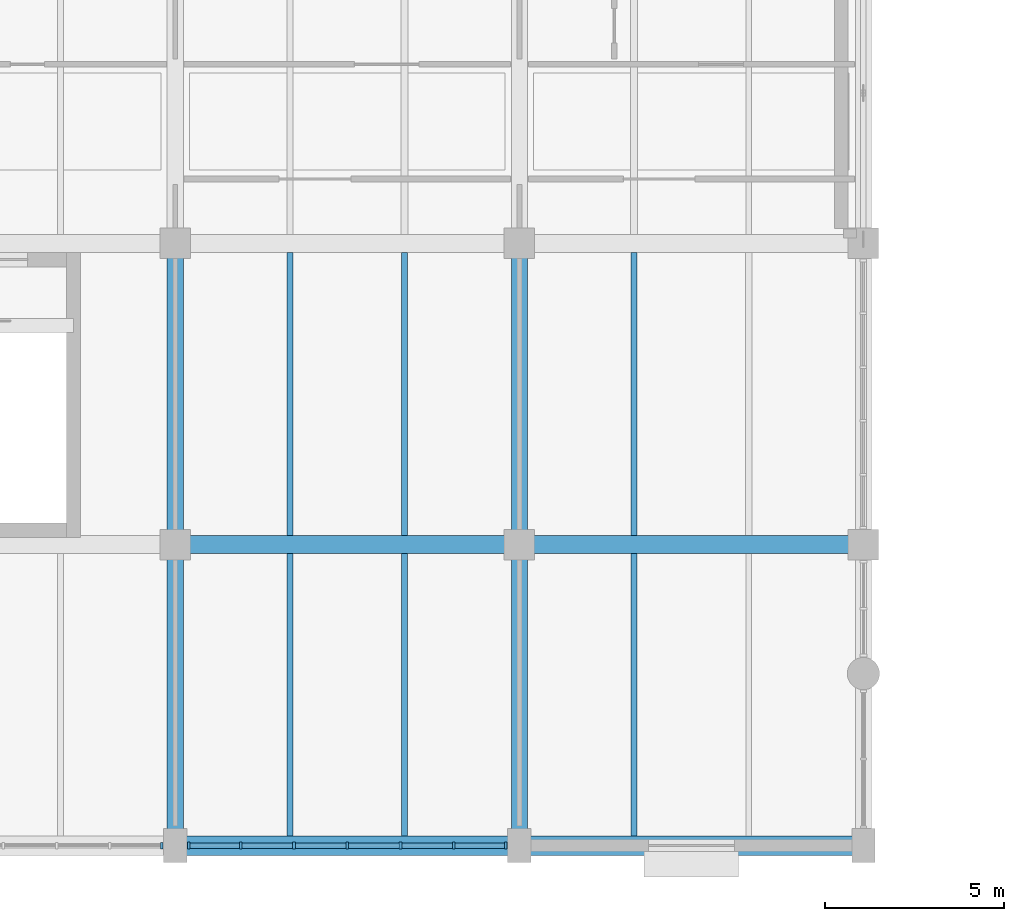
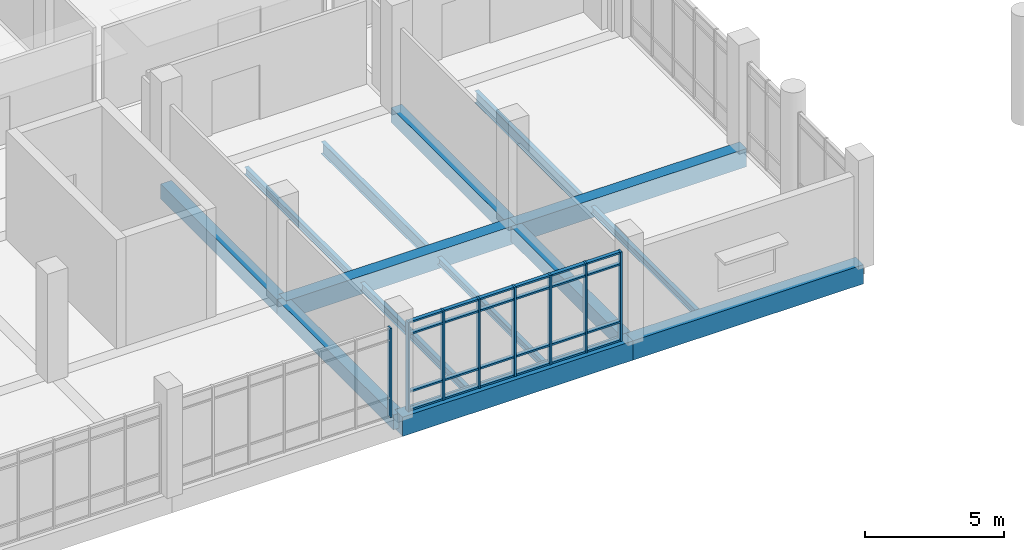
# One storey, part 12 of 152: 32 members, 14 beams, 2 elements without a shape of their own.
"""IFC4 building model written with IfcOpenShell, lengths in metres."""

from ifc_helpers import new_model, si_unit, direction, frame, origin, origin_2d, place, context, subcontext, project, spatial, rectangle, i_section, extrude, material, material_profile, profile_set, type_object, element, aggregate, save


model = new_model("IFC4")

# Units and contexts
model_context = context("Model", 3, precision=1e-05, world=origin(), true_north=direction((0.0, 1.0)))
body_context = subcontext(model_context, "Body", "Model", "MODEL_VIEW")
ifc_project = project(units=[si_unit("LENGTHUNIT", "METRE"), si_unit("AREAUNIT", "SQUARE_METRE"), si_unit("VOLUMEUNIT", "CUBIC_METRE"), si_unit("PLANEANGLEUNIT", "RADIAN"), si_unit("MASSUNIT", "GRAM", prefix="KILO")], contexts=[model_context])

# Site, building, storey
site_placement = place(None, origin())
site = spatial("IfcSite", under=ifc_project, at=site_placement, CompositionType="ELEMENT")
building_placement = place(site_placement, origin())
building = spatial("IfcBuilding", under=site, at=building_placement, Name="Oolite Switchyard Hospital", CompositionType="ELEMENT")
storey_placement = place(building_placement, frame((0.0, 0.0, 5.10009765625)))
storey = spatial("IfcBuildingStorey", under=building, at=storey_placement, Name="L01", CompositionType="ELEMENT", Elevation=5.10009765625)

# Beams
ifc_material_1 = material(Name="Concrete C40/50", Category="concrete")
ifc_material_profile_1 = material_profile(ifc_material_1, rectangle(XDim=0.449951171875, YDim=0.64990234375, at=origin_2d()), Name="RCB450X650")
ifc_profile_set_1 = profile_set([ifc_material_profile_1], Name="Concrete C40/50")
beam_type_1 = type_object("IfcBeamType", Name="BM-RC450X650", PredefinedType="BEAM", material=ifc_profile_set_1)
beam_1_placement = place(storey_placement, frame((48.0, 0.0, -0.3251953125), z_axis=(0.0, 1.0, 0.0), x_axis=(-1.0, 0.0, 0.0)))
element("IfcBeam", 1, at=beam_1_placement, inside=storey, type_object=beam_type_1, Name="L01 Y-Girder 366", PredefinedType="BEAM", context=body_context, shape_type="SweptSolid", body=[
    extrude(rectangle(XDim=0.449951171875, YDim=0.64990234375, at=origin_2d()), origin(), (0.0, 0.0, 1.0), 8.39990234375),
])
beam_2_placement = place(storey_placement, frame((48.0, 8.39990234375, -0.3251953125), z_axis=(0.0, 1.0, 0.0), x_axis=(-1.0, 0.0, 0.0)))
element("IfcBeam", 2, at=beam_2_placement, inside=storey, type_object=beam_type_1, Name="L01 Y-Girder 367", PredefinedType="BEAM", context=body_context, shape_type="SweptSolid", body=[
    extrude(rectangle(XDim=0.449951171875, YDim=0.64990234375, at=origin_2d()), origin(), (0.0, 0.0, 1.0), 8.400146484375),
])
beam_3_placement = place(storey_placement, frame((57.60009765625, 0.0, -0.3251953125), z_axis=(0.0, 1.0, 0.0), x_axis=(-1.0, 0.0, 0.0)))
element("IfcBeam", 3, at=beam_3_placement, inside=storey, type_object=beam_type_1, Name="L01 Y-Girder 382", PredefinedType="BEAM", context=body_context, shape_type="SweptSolid", body=[
    extrude(rectangle(XDim=0.449951171875, YDim=0.64990234375, at=origin_2d()), origin(), (0.0, 0.0, 1.0), 8.39990234375),
])
beam_4_placement = place(storey_placement, frame((57.60009765625, 8.39990234375, -0.3251953125), z_axis=(0.0, 1.0, 0.0), x_axis=(-1.0, 0.0, 0.0)))
element("IfcBeam", 4, at=beam_4_placement, inside=storey, type_object=beam_type_1, Name="L01 Y-Girder 383", PredefinedType="BEAM", context=body_context, shape_type="SweptSolid", body=[
    extrude(rectangle(XDim=0.449951171875, YDim=0.64990234375, at=origin_2d()), origin(), (0.0, 0.0, 1.0), 8.400146484375),
])
ifc_material_profile_2 = material_profile(ifc_material_1, rectangle(XDim=0.5, YDim=0.800048828125, at=origin_2d()), Name="RCB500X800")
ifc_profile_set_2 = profile_set([ifc_material_profile_2], Name="Concrete C40/50")
beam_type_2 = type_object("IfcBeamType", Name="BM-RC500X800", PredefinedType="BEAM", material=ifc_profile_set_2)
beam_5_placement = place(storey_placement, frame((48.0, 8.39990234375, -0.400146484375), z_axis=(1.0, 0.0, 0.0), x_axis=(0.0, 1.0, 0.0)))
element("IfcBeam", 5, at=beam_5_placement, inside=storey, type_object=beam_type_2, Name="L01 X-Girder 13", PredefinedType="BEAM", context=body_context, shape_type="SweptSolid", body=[
    extrude(rectangle(XDim=0.5, YDim=0.800048828125, at=origin_2d()), origin(), (0.0, 0.0, 1.0), 9.60009765625),
])
beam_6_placement = place(storey_placement, frame((57.60009765625, 8.39990234375, -0.400146484375), z_axis=(1.0, 0.0, 0.0), x_axis=(0.0, 1.0, 0.0)))
element("IfcBeam", 6, at=beam_6_placement, inside=storey, type_object=beam_type_2, Name="L01 X-Girder 14", PredefinedType="BEAM", context=body_context, shape_type="SweptSolid", body=[
    extrude(rectangle(XDim=0.5, YDim=0.800048828125, at=origin_2d()), origin(), (0.0, 0.0, 1.0), 9.599853515625),
])
ifc_material_profile_3 = material_profile(ifc_material_1, rectangle(XDim=0.550048828125, YDim=0.85009765625, at=origin_2d()), Name="RCB550X850")
ifc_profile_set_3 = profile_set([ifc_material_profile_3], Name="Concrete C40/50")
beam_type_3 = type_object("IfcBeamType", Name="BM-RC550X850", PredefinedType="BEAM", material=ifc_profile_set_3)
beam_7_placement = place(storey_placement, frame((48.0, 0.0, -0.425048828125), z_axis=(1.0, 0.0, 0.0), x_axis=(0.0, 1.0, 0.0)))
element("IfcBeam", 7, at=beam_7_placement, inside=storey, type_object=beam_type_3, Name="L01 X-Girder 6", PredefinedType="BEAM", context=body_context, shape_type="SweptSolid", body=[
    extrude(rectangle(XDim=0.550048828125, YDim=0.85009765625, at=origin_2d()), origin(), (0.0, 0.0, 1.0), 9.60009765625),
])
beam_8_placement = place(storey_placement, frame((57.60009765625, 0.0, -0.425048828125), z_axis=(1.0, 0.0, 0.0), x_axis=(0.0, 1.0, 0.0)))
element("IfcBeam", 8, at=beam_8_placement, inside=storey, type_object=beam_type_3, Name="L01 X-Girder 7", PredefinedType="BEAM", context=body_context, shape_type="SweptSolid", body=[
    extrude(rectangle(XDim=0.550048828125, YDim=0.85009765625, at=origin_2d()), origin(), (0.0, 0.0, 1.0), 9.599853515625),
])
ifc_material_2 = material(Name="Steel ASTM A992 Grade 50", Category="steel")
ifc_material_profile_4 = material_profile(ifc_material_2, i_section(OverallWidth=0.1650390625, OverallDepth=0.31005859375, WebThickness=0.006103515625, FlangeThickness=0.010009765625, at=origin_2d()), Name="W12X26")
ifc_profile_set_4 = profile_set([ifc_material_profile_4], Name="Steel ASTM A992 Grade 50")
beam_type_4 = type_object("IfcBeamType", Name="BM-W12X26", PredefinedType="JOIST", material=ifc_profile_set_4)
beam_9_placement = place(storey_placement, frame((54.39990234375, 0.27490234375, -0.43017578125), z_axis=(0.0, 1.0, 0.0), x_axis=(-1.0, 0.0, 0.0)))
element("IfcBeam", 9, at=beam_9_placement, inside=storey, type_object=beam_type_4, Name="L01 Secondary Steel Joist 711", PredefinedType="JOIST", context=body_context, shape_type="SweptSolid", body=[
    extrude(i_section(OverallWidth=0.1650390625, OverallDepth=0.31005859375, WebThickness=0.006103515625, FlangeThickness=0.010009765625, at=origin_2d()), origin(), (0.0, 0.0, 1.0), 7.875),
])
beam_10_placement = place(storey_placement, frame((51.199951171875, 8.64990234375, -0.43017578125), z_axis=(0.0, 1.0, 0.0), x_axis=(-1.0, 0.0, 0.0)))
element("IfcBeam", 10, at=beam_10_placement, inside=storey, type_object=beam_type_4, Name="L01 Secondary Steel Joist 712", PredefinedType="JOIST", context=body_context, shape_type="SweptSolid", body=[
    extrude(i_section(OverallWidth=0.1650390625, OverallDepth=0.31005859375, WebThickness=0.006103515625, FlangeThickness=0.010009765625, at=origin_2d()), origin(), (0.0, 0.0, 1.0), 7.900146484375),
])
beam_11_placement = place(storey_placement, frame((60.800048828125, 0.27490234375, -0.43017578125), z_axis=(0.0, 1.0, 0.0), x_axis=(-1.0, 0.0, 0.0)))
element("IfcBeam", 11, at=beam_11_placement, inside=storey, type_object=beam_type_4, Name="L01 Secondary Steel Joist 738", PredefinedType="JOIST", context=body_context, shape_type="SweptSolid", body=[
    extrude(i_section(OverallWidth=0.1650390625, OverallDepth=0.31005859375, WebThickness=0.006103515625, FlangeThickness=0.010009765625, at=origin_2d()), origin(), (0.0, 0.0, 1.0), 7.875),
])
ifc_material_profile_5 = material_profile(ifc_material_2, i_section(OverallWidth=0.1708984375, OverallDepth=0.35107421875, WebThickness=0.007080078125, FlangeThickness=0.010009765625, at=origin_2d()), Name="W14X30")
ifc_profile_set_5 = profile_set([ifc_material_profile_5], Name="Steel ASTM A992 Grade 50")
beam_type_5 = type_object("IfcBeamType", Name="BM-W14X30", PredefinedType="JOIST", material=ifc_profile_set_5)
beam_12_placement = place(storey_placement, frame((51.199951171875, 0.27490234375, -0.4501953125), z_axis=(0.0, 1.0, 0.0), x_axis=(-1.0, 0.0, 0.0)))
element("IfcBeam", 12, at=beam_12_placement, inside=storey, type_object=beam_type_5, Name="L01 Secondary Steel Joist 710", PredefinedType="JOIST", context=body_context, shape_type="SweptSolid", body=[
    extrude(i_section(OverallWidth=0.1708984375, OverallDepth=0.35107421875, WebThickness=0.007080078125, FlangeThickness=0.010009765625, at=origin_2d()), origin(), (0.0, 0.0, 1.0), 7.875),
])
ifc_material_profile_6 = material_profile(ifc_material_2, i_section(OverallWidth=0.166015625, OverallDepth=0.529052734375, WebThickness=0.010009765625, FlangeThickness=0.013916015625, at=origin_2d()), Name="W21X50")
ifc_profile_set_6 = profile_set([ifc_material_profile_6], Name="Steel ASTM A992 Grade 50")
beam_type_6 = type_object("IfcBeamType", Name="BM-W21X50", PredefinedType="JOIST", material=ifc_profile_set_6)
for number, where, z_axis, x_axis, name in (
    (13, (54.39990234375, 8.64990234375, -0.5400390625), (0.0, 1.0, 0.0), (-1.0, 0.0, 0.0), "L01 Secondary Steel Joist 713"),
    (14, (60.800048828125, 8.64990234375, -0.5400390625), (0.0, 1.0, 0.0), (-1.0, 0.0, 0.0), "L01 Secondary Steel Joist 740"),
):
    element("IfcBeam", number, at=place(storey_placement, frame(where, z_axis=z_axis, x_axis=x_axis)), inside=storey, type_object=beam_type_6, Name=name, PredefinedType="JOIST", context=body_context, shape_type="SweptSolid", body=[
        extrude(i_section(OverallWidth=0.166015625, OverallDepth=0.529052734375, WebThickness=0.010009765625, FlangeThickness=0.013916015625, at=origin_2d()), origin(), (0.0, 0.0, 1.0), 7.900146484375),
    ])

# Curtain wall, member
ifc_material_3 = material(Name="Thermally broken aluminum frame with laminated impact glazing", Category="aluminium")
curtain_wall_type = type_object("IfcCurtainWallType", Name="CW-UNIT-96X48", PredefinedType="USERDEFINED", material=ifc_material_3)
curtain_wall_1_placement = place(storey_placement, origin())
curtain_wall_1 = element("IfcCurtainWall", 15, at=curtain_wall_1_placement, inside=storey, type_object=curtain_wall_type, Name="L01 Unitised Curtain Wall 96", ObjectType="UNITISED", PredefinedType="USERDEFINED")
ifc_material_4 = material(Name="Aluminium 6063-T6", Category="aluminium")
ifc_material_profile_7 = material_profile(ifc_material_4, rectangle(XDim=0.179931640625, YDim=0.070068359375, at=origin_2d()), Name="CWM70X180")
ifc_profile_set_7 = profile_set([ifc_material_profile_7], Name="Aluminium 6063-T6")
member_type_1 = type_object("IfcMemberType", Name="CW-MUL-220", PredefinedType="MULLION", material=ifc_profile_set_7)
member_1_placement = place(storey_placement, frame((47.625, 0.0, 0.0), z_axis=(0.0, 0.0, 1.0), x_axis=(0.0, -1.0, 0.0)))
member_1 = element("IfcMember", 16, at=member_1_placement, type_object=member_type_1, Name="CW-02 mullion 1", PredefinedType="MULLION", context=body_context, shape_type="SweptSolid", body=[
    extrude(rectangle(XDim=0.179931640625, YDim=0.070068359375, at=origin_2d()), origin(), (0.0, 0.0, 1.0), 3.93994140625),
])
aggregate(curtain_wall_1, [member_1])

# Curtain wall, members
curtain_wall_2_placement = place(storey_placement, origin())
curtain_wall_2 = element("IfcCurtainWall", 17, at=curtain_wall_2_placement, inside=storey, type_object=curtain_wall_type, Name="L01 Unitised Curtain Wall 97", ObjectType="UNITISED", PredefinedType="USERDEFINED")
ifc_material_profile_8 = material_profile(ifc_material_4, rectangle(XDim=0.199951171875, YDim=0.074951171875, at=origin_2d()), Name="CWM75X200")
ifc_profile_set_8 = profile_set([ifc_material_profile_8], Name="Aluminium 6063-T6")
member_type_2 = type_object("IfcMemberType", Name="CW-MUL-260", PredefinedType="MULLION", material=ifc_profile_set_8)
member_2_placement = place(storey_placement, frame((57.222412109375, 0.0, 0.0), z_axis=(0.0, 0.0, 1.0), x_axis=(0.0, -1.0, 0.0)))
member_2 = element("IfcMember", 18, at=member_2_placement, type_object=member_type_2, Name="CW-02 mullion 1", PredefinedType="MULLION", context=body_context, shape_type="SweptSolid", body=[
    extrude(rectangle(XDim=0.199951171875, YDim=0.074951171875, at=origin_2d()), origin(), (0.0, 0.0, 1.0), 3.93994140625),
])
member_3_placement = place(storey_placement, frame((55.7734375, 0.0, 0.0), z_axis=(0.0, 0.0, 1.0), x_axis=(0.0, -1.0, 0.0)))
member_3 = element("IfcMember", 19, at=member_3_placement, type_object=member_type_2, Name="CW-02 mullion 2", PredefinedType="MULLION", context=body_context, shape_type="SweptSolid", body=[
    extrude(rectangle(XDim=0.199951171875, YDim=0.074951171875, at=origin_2d()), origin(), (0.0, 0.0, 1.0), 3.93994140625),
])
member_4_placement = place(storey_placement, frame((54.28662109375, 0.0, 0.0), z_axis=(0.0, 0.0, 1.0), x_axis=(0.0, -1.0, 0.0)))
member_4 = element("IfcMember", 20, at=member_4_placement, type_object=member_type_2, Name="CW-02 mullion 3", PredefinedType="MULLION", context=body_context, shape_type="SweptSolid", body=[
    extrude(rectangle(XDim=0.199951171875, YDim=0.074951171875, at=origin_2d()), origin(), (0.0, 0.0, 1.0), 3.93994140625),
])
member_5_placement = place(storey_placement, frame((52.800048828125, 0.0, 0.0), z_axis=(0.0, 0.0, 1.0), x_axis=(0.0, -1.0, 0.0)))
member_5 = element("IfcMember", 21, at=member_5_placement, type_object=member_type_2, Name="CW-02 mullion 4", PredefinedType="MULLION", context=body_context, shape_type="SweptSolid", body=[
    extrude(rectangle(XDim=0.199951171875, YDim=0.074951171875, at=origin_2d()), origin(), (0.0, 0.0, 1.0), 3.93994140625),
])
member_6_placement = place(storey_placement, frame((51.313232421875, 0.0, 0.0), z_axis=(0.0, 0.0, 1.0), x_axis=(0.0, -1.0, 0.0)))
member_6 = element("IfcMember", 22, at=member_6_placement, type_object=member_type_2, Name="CW-02 mullion 5", PredefinedType="MULLION", context=body_context, shape_type="SweptSolid", body=[
    extrude(rectangle(XDim=0.199951171875, YDim=0.074951171875, at=origin_2d()), origin(), (0.0, 0.0, 1.0), 3.93994140625),
])
member_7_placement = place(storey_placement, frame((49.82666015625, 0.0, 0.0), z_axis=(0.0, 0.0, 1.0), x_axis=(0.0, -1.0, 0.0)))
member_7 = element("IfcMember", 23, at=member_7_placement, type_object=member_type_2, Name="CW-02 mullion 6", PredefinedType="MULLION", context=body_context, shape_type="SweptSolid", body=[
    extrude(rectangle(XDim=0.199951171875, YDim=0.074951171875, at=origin_2d()), origin(), (0.0, 0.0, 1.0), 3.93994140625),
])
member_8_placement = place(storey_placement, frame((48.37744140625, 0.0, 0.0), z_axis=(0.0, 0.0, 1.0), x_axis=(0.0, -1.0, 0.0)))
member_8 = element("IfcMember", 24, at=member_8_placement, type_object=member_type_2, Name="CW-02 mullion 7", PredefinedType="MULLION", context=body_context, shape_type="SweptSolid", body=[
    extrude(rectangle(XDim=0.199951171875, YDim=0.074951171875, at=origin_2d()), origin(), (0.0, 0.0, 1.0), 3.93994140625),
])
ifc_material_profile_9 = material_profile(ifc_material_4, rectangle(XDim=0.159912109375, YDim=0.074951171875, at=origin_2d()), Name="CWT75X160")
ifc_profile_set_9 = profile_set([ifc_material_profile_9], Name="Aluminium 6063-T6")
member_type_3 = type_object("IfcMemberType", Name="CW-TRN-180", PredefinedType="USERDEFINED", material=ifc_profile_set_9)
member_9_placement = place(storey_placement, frame((57.18505859375, 0.0, 0.037353515625), z_axis=(-1.0, 0.0, 0.0), x_axis=(0.0, -1.0, 0.0)))
member_9 = element("IfcMember", 25, at=member_9_placement, type_object=member_type_3, Name="CW-02 transom 1.1", ObjectType="TRANSOM", PredefinedType="USERDEFINED", context=body_context, shape_type="SweptSolid", body=[
    extrude(rectangle(XDim=0.159912109375, YDim=0.074951171875, at=origin_2d()), origin(), (0.0, 0.0, 1.0), 1.374267578125),
])
member_10_placement = place(storey_placement, frame((57.18505859375, 0.0, 0.849853515625), z_axis=(-1.0, 0.0, 0.0), x_axis=(0.0, -1.0, 0.0)))
member_10 = element("IfcMember", 26, at=member_10_placement, type_object=member_type_3, Name="CW-02 transom 1.2", ObjectType="TRANSOM", PredefinedType="USERDEFINED", context=body_context, shape_type="SweptSolid", body=[
    extrude(rectangle(XDim=0.159912109375, YDim=0.074951171875, at=origin_2d()), origin(), (0.0, 0.0, 1.0), 1.374267578125),
])
member_11_placement = place(storey_placement, frame((57.18505859375, 0.0, 3.389892578125), z_axis=(-1.0, 0.0, 0.0), x_axis=(0.0, -1.0, 0.0)))
member_11 = element("IfcMember", 27, at=member_11_placement, type_object=member_type_3, Name="CW-02 transom 1.3", ObjectType="TRANSOM", PredefinedType="USERDEFINED", context=body_context, shape_type="SweptSolid", body=[
    extrude(rectangle(XDim=0.159912109375, YDim=0.074951171875, at=origin_2d()), origin(), (0.0, 0.0, 1.0), 1.374267578125),
])
member_12_placement = place(storey_placement, frame((57.18505859375, 0.0, 3.90234375), z_axis=(-1.0, 0.0, 0.0), x_axis=(0.0, -1.0, 0.0)))
member_12 = element("IfcMember", 28, at=member_12_placement, type_object=member_type_3, Name="CW-02 transom 1.4", ObjectType="TRANSOM", PredefinedType="USERDEFINED", context=body_context, shape_type="SweptSolid", body=[
    extrude(rectangle(XDim=0.159912109375, YDim=0.074951171875, at=origin_2d()), origin(), (0.0, 0.0, 1.0), 1.374267578125),
])
member_13_placement = place(storey_placement, frame((55.73583984375, 0.0, 0.037353515625), z_axis=(-1.0, 0.0, 0.0), x_axis=(0.0, -1.0, 0.0)))
member_13 = element("IfcMember", 29, at=member_13_placement, type_object=member_type_3, Name="CW-02 transom 2.1", ObjectType="TRANSOM", PredefinedType="USERDEFINED", context=body_context, shape_type="SweptSolid", body=[
    extrude(rectangle(XDim=0.159912109375, YDim=0.074951171875, at=origin_2d()), origin(), (0.0, 0.0, 1.0), 1.41162109375),
])
member_14_placement = place(storey_placement, frame((55.73583984375, 0.0, 0.849853515625), z_axis=(-1.0, 0.0, 0.0), x_axis=(0.0, -1.0, 0.0)))
member_14 = element("IfcMember", 30, at=member_14_placement, type_object=member_type_3, Name="CW-02 transom 2.2", ObjectType="TRANSOM", PredefinedType="USERDEFINED", context=body_context, shape_type="SweptSolid", body=[
    extrude(rectangle(XDim=0.159912109375, YDim=0.074951171875, at=origin_2d()), origin(), (0.0, 0.0, 1.0), 1.41162109375),
])
member_15_placement = place(storey_placement, frame((55.73583984375, 0.0, 3.389892578125), z_axis=(-1.0, 0.0, 0.0), x_axis=(0.0, -1.0, 0.0)))
member_15 = element("IfcMember", 31, at=member_15_placement, type_object=member_type_3, Name="CW-02 transom 2.3", ObjectType="TRANSOM", PredefinedType="USERDEFINED", context=body_context, shape_type="SweptSolid", body=[
    extrude(rectangle(XDim=0.159912109375, YDim=0.074951171875, at=origin_2d()), origin(), (0.0, 0.0, 1.0), 1.41162109375),
])
member_16_placement = place(storey_placement, frame((55.73583984375, 0.0, 3.90234375), z_axis=(-1.0, 0.0, 0.0), x_axis=(0.0, -1.0, 0.0)))
member_16 = element("IfcMember", 32, at=member_16_placement, type_object=member_type_3, Name="CW-02 transom 2.4", ObjectType="TRANSOM", PredefinedType="USERDEFINED", context=body_context, shape_type="SweptSolid", body=[
    extrude(rectangle(XDim=0.159912109375, YDim=0.074951171875, at=origin_2d()), origin(), (0.0, 0.0, 1.0), 1.41162109375),
])
member_17_placement = place(storey_placement, frame((54.249267578125, 0.0, 0.037353515625), z_axis=(-1.0, 0.0, 0.0), x_axis=(0.0, -1.0, 0.0)))
member_17 = element("IfcMember", 33, at=member_17_placement, type_object=member_type_3, Name="CW-02 transom 3.1", ObjectType="TRANSOM", PredefinedType="USERDEFINED", context=body_context, shape_type="SweptSolid", body=[
    extrude(rectangle(XDim=0.159912109375, YDim=0.074951171875, at=origin_2d()), origin(), (0.0, 0.0, 1.0), 1.411865234375),
])
member_18_placement = place(storey_placement, frame((54.249267578125, 0.0, 0.849853515625), z_axis=(-1.0, 0.0, 0.0), x_axis=(0.0, -1.0, 0.0)))
member_18 = element("IfcMember", 34, at=member_18_placement, type_object=member_type_3, Name="CW-02 transom 3.2", ObjectType="TRANSOM", PredefinedType="USERDEFINED", context=body_context, shape_type="SweptSolid", body=[
    extrude(rectangle(XDim=0.159912109375, YDim=0.074951171875, at=origin_2d()), origin(), (0.0, 0.0, 1.0), 1.411865234375),
])
member_19_placement = place(storey_placement, frame((54.249267578125, 0.0, 3.389892578125), z_axis=(-1.0, 0.0, 0.0), x_axis=(0.0, -1.0, 0.0)))
member_19 = element("IfcMember", 35, at=member_19_placement, type_object=member_type_3, Name="CW-02 transom 3.3", ObjectType="TRANSOM", PredefinedType="USERDEFINED", context=body_context, shape_type="SweptSolid", body=[
    extrude(rectangle(XDim=0.159912109375, YDim=0.074951171875, at=origin_2d()), origin(), (0.0, 0.0, 1.0), 1.411865234375),
])
member_20_placement = place(storey_placement, frame((54.249267578125, 0.0, 3.90234375), z_axis=(-1.0, 0.0, 0.0), x_axis=(0.0, -1.0, 0.0)))
member_20 = element("IfcMember", 36, at=member_20_placement, type_object=member_type_3, Name="CW-02 transom 3.4", ObjectType="TRANSOM", PredefinedType="USERDEFINED", context=body_context, shape_type="SweptSolid", body=[
    extrude(rectangle(XDim=0.159912109375, YDim=0.074951171875, at=origin_2d()), origin(), (0.0, 0.0, 1.0), 1.411865234375),
])
member_21_placement = place(storey_placement, frame((52.762451171875, 0.0, 0.037353515625), z_axis=(-1.0, 0.0, 0.0), x_axis=(0.0, -1.0, 0.0)))
member_21 = element("IfcMember", 37, at=member_21_placement, type_object=member_type_3, Name="CW-02 transom 4.1", ObjectType="TRANSOM", PredefinedType="USERDEFINED", context=body_context, shape_type="SweptSolid", body=[
    extrude(rectangle(XDim=0.159912109375, YDim=0.074951171875, at=origin_2d()), origin(), (0.0, 0.0, 1.0), 1.41162109375),
])
member_22_placement = place(storey_placement, frame((52.762451171875, 0.0, 0.849853515625), z_axis=(-1.0, 0.0, 0.0), x_axis=(0.0, -1.0, 0.0)))
member_22 = element("IfcMember", 38, at=member_22_placement, type_object=member_type_3, Name="CW-02 transom 4.2", ObjectType="TRANSOM", PredefinedType="USERDEFINED", context=body_context, shape_type="SweptSolid", body=[
    extrude(rectangle(XDim=0.159912109375, YDim=0.074951171875, at=origin_2d()), origin(), (0.0, 0.0, 1.0), 1.41162109375),
])
member_23_placement = place(storey_placement, frame((52.762451171875, 0.0, 3.389892578125), z_axis=(-1.0, 0.0, 0.0), x_axis=(0.0, -1.0, 0.0)))
member_23 = element("IfcMember", 39, at=member_23_placement, type_object=member_type_3, Name="CW-02 transom 4.3", ObjectType="TRANSOM", PredefinedType="USERDEFINED", context=body_context, shape_type="SweptSolid", body=[
    extrude(rectangle(XDim=0.159912109375, YDim=0.074951171875, at=origin_2d()), origin(), (0.0, 0.0, 1.0), 1.41162109375),
])
member_24_placement = place(storey_placement, frame((52.762451171875, 0.0, 3.90234375), z_axis=(-1.0, 0.0, 0.0), x_axis=(0.0, -1.0, 0.0)))
member_24 = element("IfcMember", 40, at=member_24_placement, type_object=member_type_3, Name="CW-02 transom 4.4", ObjectType="TRANSOM", PredefinedType="USERDEFINED", context=body_context, shape_type="SweptSolid", body=[
    extrude(rectangle(XDim=0.159912109375, YDim=0.074951171875, at=origin_2d()), origin(), (0.0, 0.0, 1.0), 1.41162109375),
])
member_25_placement = place(storey_placement, frame((51.27587890625, 0.0, 0.037353515625), z_axis=(-1.0, 0.0, 0.0), x_axis=(0.0, -1.0, 0.0)))
member_25 = element("IfcMember", 41, at=member_25_placement, type_object=member_type_3, Name="CW-02 transom 5.1", ObjectType="TRANSOM", PredefinedType="USERDEFINED", context=body_context, shape_type="SweptSolid", body=[
    extrude(rectangle(XDim=0.159912109375, YDim=0.074951171875, at=origin_2d()), origin(), (0.0, 0.0, 1.0), 1.41162109375),
])
member_26_placement = place(storey_placement, frame((51.27587890625, 0.0, 0.849853515625), z_axis=(-1.0, 0.0, 0.0), x_axis=(0.0, -1.0, 0.0)))
member_26 = element("IfcMember", 42, at=member_26_placement, type_object=member_type_3, Name="CW-02 transom 5.2", ObjectType="TRANSOM", PredefinedType="USERDEFINED", context=body_context, shape_type="SweptSolid", body=[
    extrude(rectangle(XDim=0.159912109375, YDim=0.074951171875, at=origin_2d()), origin(), (0.0, 0.0, 1.0), 1.41162109375),
])
member_27_placement = place(storey_placement, frame((51.27587890625, 0.0, 3.389892578125), z_axis=(-1.0, 0.0, 0.0), x_axis=(0.0, -1.0, 0.0)))
member_27 = element("IfcMember", 43, at=member_27_placement, type_object=member_type_3, Name="CW-02 transom 5.3", ObjectType="TRANSOM", PredefinedType="USERDEFINED", context=body_context, shape_type="SweptSolid", body=[
    extrude(rectangle(XDim=0.159912109375, YDim=0.074951171875, at=origin_2d()), origin(), (0.0, 0.0, 1.0), 1.41162109375),
])
member_28_placement = place(storey_placement, frame((51.27587890625, 0.0, 3.90234375), z_axis=(-1.0, 0.0, 0.0), x_axis=(0.0, -1.0, 0.0)))
member_28 = element("IfcMember", 44, at=member_28_placement, type_object=member_type_3, Name="CW-02 transom 5.4", ObjectType="TRANSOM", PredefinedType="USERDEFINED", context=body_context, shape_type="SweptSolid", body=[
    extrude(rectangle(XDim=0.159912109375, YDim=0.074951171875, at=origin_2d()), origin(), (0.0, 0.0, 1.0), 1.41162109375),
])
member_29_placement = place(storey_placement, frame((49.7890625, 0.0, 0.037353515625), z_axis=(-1.0, 0.0, 0.0), x_axis=(0.0, -1.0, 0.0)))
member_29 = element("IfcMember", 45, at=member_29_placement, type_object=member_type_3, Name="CW-02 transom 6.1", ObjectType="TRANSOM", PredefinedType="USERDEFINED", context=body_context, shape_type="SweptSolid", body=[
    extrude(rectangle(XDim=0.159912109375, YDim=0.074951171875, at=origin_2d()), origin(), (0.0, 0.0, 1.0), 1.3740234375),
])
member_30_placement = place(storey_placement, frame((49.7890625, 0.0, 0.849853515625), z_axis=(-1.0, 0.0, 0.0), x_axis=(0.0, -1.0, 0.0)))
member_30 = element("IfcMember", 46, at=member_30_placement, type_object=member_type_3, Name="CW-02 transom 6.2", ObjectType="TRANSOM", PredefinedType="USERDEFINED", context=body_context, shape_type="SweptSolid", body=[
    extrude(rectangle(XDim=0.159912109375, YDim=0.074951171875, at=origin_2d()), origin(), (0.0, 0.0, 1.0), 1.3740234375),
])
member_31_placement = place(storey_placement, frame((49.7890625, 0.0, 3.389892578125), z_axis=(-1.0, 0.0, 0.0), x_axis=(0.0, -1.0, 0.0)))
member_31 = element("IfcMember", 47, at=member_31_placement, type_object=member_type_3, Name="CW-02 transom 6.3", ObjectType="TRANSOM", PredefinedType="USERDEFINED", context=body_context, shape_type="SweptSolid", body=[
    extrude(rectangle(XDim=0.159912109375, YDim=0.074951171875, at=origin_2d()), origin(), (0.0, 0.0, 1.0), 1.3740234375),
])
member_32_placement = place(storey_placement, frame((49.7890625, 0.0, 3.90234375), z_axis=(-1.0, 0.0, 0.0), x_axis=(0.0, -1.0, 0.0)))
member_32 = element("IfcMember", 48, at=member_32_placement, type_object=member_type_3, Name="CW-02 transom 6.4", ObjectType="TRANSOM", PredefinedType="USERDEFINED", context=body_context, shape_type="SweptSolid", body=[
    extrude(rectangle(XDim=0.159912109375, YDim=0.074951171875, at=origin_2d()), origin(), (0.0, 0.0, 1.0), 1.3740234375),
])
aggregate(curtain_wall_2, [member_2, member_3, member_4, member_5, member_6, member_7, member_8, member_9, member_10, member_11, member_12, member_13, member_14, member_15, member_16, member_17, member_18, member_19, member_20, member_21, member_22, member_23, member_24, member_25, member_26, member_27, member_28, member_29, member_30, member_31, member_32])

save(model, "model.ifc")
